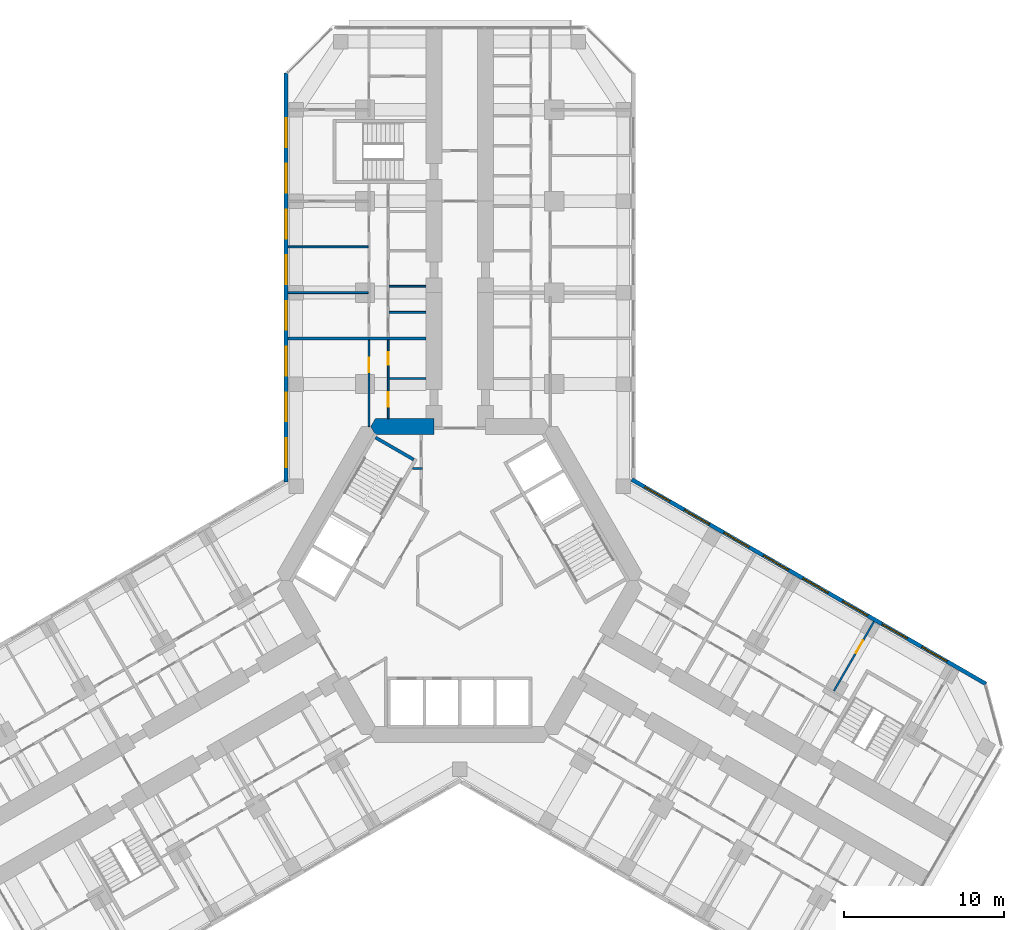
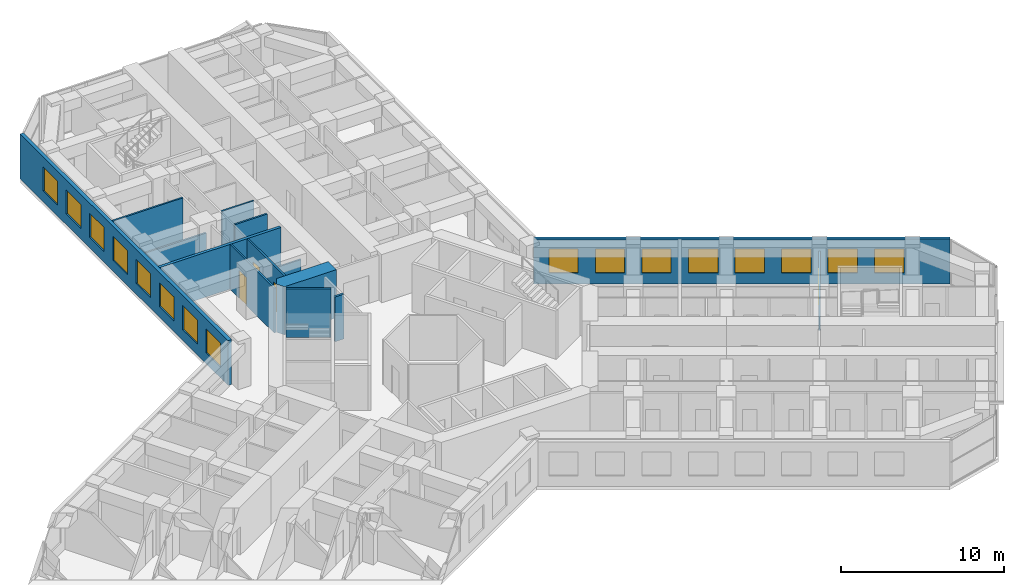
# One storey, part 17 of 22: 16 windows, 14 walls, 4 doors, 20 openings.
"""IFC4 building model written with IfcOpenShell, lengths in metres."""

import ifcopenshell
import ifcopenshell.guid

model = None  # the IFC model being written
_history = None  # IfcOwnerHistory: only IFC2X3 demands one
_inside = {}  # id of a spatial element -> (the spatial element, [elements in it])
_under = {}  # id of a project, library or spatial element -> (it, [spatial elements below it])
_declared = {}  # id of a project -> (the project, [libraries it declares])
_typed = {}  # id of a type object -> (the type object, [elements of that type])
_made_of = {}  # id of a material, layer set ... -> (it, [elements and type objects made of it])


def new_model(schema):
    """Start an empty IFC model of exactly this schema.

    Asked for "IFC4X3", IfcOpenShell would pick the latest addendum, in which some entities
    have other attributes; the version numbers below select the first issue.
    IFC2X3 requires an IfcOwnerHistory on every rooted entity: one is made here for all.
    """
    global model, _history
    if schema == "IFC4X3":
        model = ifcopenshell.file(schema_version=(4, 3, 0, 0))
    else:
        model = ifcopenshell.file(schema=schema)
    _inside.clear()
    _under.clear()
    _declared.clear()
    _typed.clear()
    _made_of.clear()
    _history = None
    if model.schema == "IFC2X3":
        org = make("IfcOrganization", Name="unknown")
        user = make(
            "IfcPersonAndOrganization",
            ThePerson=make("IfcPerson", FamilyName="unknown"),
            TheOrganization=org,
        )
        app = make(
            "IfcApplication",
            ApplicationDeveloper=org,
            Version="unknown",
            ApplicationFullName="unknown",
            ApplicationIdentifier="unknown",
        )
        _history = make(
            "IfcOwnerHistory",
            OwningUser=user,
            OwningApplication=app,
            ChangeAction="ADDED",
            CreationDate=0,
        )
    return model


def make(cls, **values):
    """One entity of the class cls with the attributes given. An attribute that is None is left unset."""
    return model.create_entity(
        cls, **{name: value for name, value in values.items() if value is not None}
    )


def rooted(cls, **values):
    """An entity with a GlobalId (a new one), such as an element, a storey or a relation."""
    return make(cls, GlobalId=ifcopenshell.guid.new(), OwnerHistory=_history, **values)


def si_unit(unit_type, name, prefix=None):
    """IfcSIUnit, for example si_unit("LENGTHUNIT", "METRE", prefix="MILLI")."""
    return make("IfcSIUnit", UnitType=unit_type, Prefix=prefix, Name=name)


def assignment(units):
    """IfcUnitAssignment: the units of a project."""
    return None if units is None else make("IfcUnitAssignment", Units=units)


def point(xyz):
    """IfcCartesianPoint."""
    return None if xyz is None else make("IfcCartesianPoint", Coordinates=xyz)


def direction(xyz):
    """IfcDirection."""
    return None if xyz is None else make("IfcDirection", DirectionRatios=xyz)


def frame(location, z_axis=None, x_axis=None):
    """IfcAxis2Placement3D, a coordinate frame: its origin and axes. An axis left out is left unset."""
    return make(
        "IfcAxis2Placement3D",
        Location=point(location),
        Axis=direction(z_axis),
        RefDirection=direction(x_axis),
    )


def frame_2d(location, x_axis=None):
    """IfcAxis2Placement2D, a coordinate frame in the plane: its origin and x axis."""
    return make(
        "IfcAxis2Placement2D", Location=point(location), RefDirection=direction(x_axis)
    )


def origin():
    """The frame at (0, 0, 0) with its axes left unset."""
    return frame((0.0, 0.0, 0.0))


def place(relative_to, where):
    """IfcLocalPlacement: puts the frame where relative to a parent placement (None: the world)."""
    return make(
        "IfcLocalPlacement", PlacementRelTo=relative_to, RelativePlacement=where
    )


def context(
    kind, dimensions, precision=None, world=None, true_north=None, identifier=None
):
    """IfcGeometricRepresentationContext, for example the 3D "Model" context."""
    return make(
        "IfcGeometricRepresentationContext",
        ContextIdentifier=identifier,
        ContextType=kind,
        CoordinateSpaceDimension=dimensions,
        Precision=precision,
        WorldCoordinateSystem=world,
        TrueNorth=true_north,
    )


def subcontext(parent, identifier, kind, view, scale=None):
    """IfcGeometricRepresentationSubContext, for example "Body" below "Model"."""
    return make(
        "IfcGeometricRepresentationSubContext",
        ContextIdentifier=identifier,
        ContextType=kind,
        ParentContext=parent,
        TargetScale=scale,
        TargetView=view,
    )


def project(units=None, contexts=None):
    """IfcProject with its units and contexts."""
    return rooted(
        "IfcProject",
        Name="project",
        RepresentationContexts=contexts,
        UnitsInContext=assignment(units),
    )


def spatial(cls, under=None, at=None, **own):
    """A site, building, storey or space (cls), placed at a placement, below another one or the project."""
    s = rooted(cls, ObjectPlacement=at, **own)
    if under is not None:
        _under.setdefault(under.id(), (under, []))[1].append(s)
    return s


def polyline(points):
    """IfcPolyline through the points."""
    return make("IfcPolyline", Points=[point(p) for p in points])


def profile(cls, at=None, kind="AREA", **sizes):
    """A parametric profile (cls). Its sizes go by their IFC names, for example OverallWidth=200.0."""
    return make(cls, ProfileType=kind, Position=at, **sizes)


def rectangle(**sizes):
    """IfcRectangleProfileDef."""
    return profile("IfcRectangleProfileDef", **sizes)


def outline(outer, holes=None, kind="AREA"):
    """IfcArbitraryClosedProfileDef: a profile drawn as a closed curve; with holes, ...WithVoids."""
    if holes is None:
        return make("IfcArbitraryClosedProfileDef", ProfileType=kind, OuterCurve=outer)
    return make(
        "IfcArbitraryProfileDefWithVoids",
        ProfileType=kind,
        OuterCurve=outer,
        InnerCurves=holes,
    )


def extrude(swept, where, along, depth):
    """IfcExtrudedAreaSolid: the profile swept, set in the frame where, extruded along a direction by depth."""
    return make(
        "IfcExtrudedAreaSolid",
        SweptArea=swept,
        Position=where,
        ExtrudedDirection=direction(along),
        Depth=depth,
    )


def shape(context_of_items, identifier, shape_type, items):
    """IfcShapeRepresentation: the items that make up one representation, for example the "Body"."""
    return make(
        "IfcShapeRepresentation",
        ContextOfItems=context_of_items,
        RepresentationIdentifier=identifier,
        RepresentationType=shape_type,
        Items=items,
    )


def material(Name=None, Category=None):
    """IfcMaterial."""
    return make("IfcMaterial", Name=Name, Category=Category)


def layer(
    of_material, thickness, ventilated=None, Name=None, Category=None, Priority=None
):
    """IfcMaterialLayer: one layer of a wall or slab, of a material (None: an air gap)."""
    return make(
        "IfcMaterialLayer",
        Material=of_material,
        LayerThickness=thickness,
        IsVentilated=ventilated,
        Name=Name,
        Category=Category,
        Priority=Priority,
    )


def layer_set(layers, Name=None):
    """IfcMaterialLayerSet."""
    return make("IfcMaterialLayerSet", MaterialLayers=layers, LayerSetName=Name)


def made_of(thing, what):
    """Note that an element or type object is made of a material, layer set ...; save() writes the relation."""
    if what is not None:
        _made_of.setdefault(what.id(), (what, []))[1].append(thing)
    return thing


def type_object(cls, material=None, **own):
    """A type object (cls), such as IfcWallType, which elements share."""
    return made_of(rooted(cls, **own), material)


def element(
    cls,
    number,
    at=None,
    inside=None,
    cuts=None,
    type_object=None,
    material=None,
    context=None,
    identifier="Body",
    shape_type=None,
    held_by="IfcProductDefinitionShape",
    body=None,
    shapes=None,
    **own,
):
    """One element of the class cls, such as IfcWall. Its Tag is "e" and its number.

    at: its placement. inside: the storey or other place that contains it. cuts: it is an
    opening in that element (IfcRelVoidsElement). A single representation is given by context,
    identifier, shape_type and body (its items); several are given by shapes. held_by: the class
    of the entity that holds the representations. save() writes the other relations.
    """
    e = rooted(cls, Tag="e%d" % number, ObjectPlacement=at, **own)
    if body is not None:
        shapes = [shape(context, identifier, shape_type, body)]
    if shapes is not None:
        e.Representation = make(held_by, Representations=shapes)
    if inside is not None:
        _inside.setdefault(inside.id(), (inside, []))[1].append(e)
    if cuts is not None:
        rooted(
            "IfcRelVoidsElement", RelatingBuildingElement=cuts, RelatedOpeningElement=e
        )
    if type_object is not None:
        _typed.setdefault(type_object.id(), (type_object, []))[1].append(e)
    return made_of(e, material)


def fill(opening, filler):
    """IfcRelFillsElement: the door or window that sits in an opening."""
    return rooted(
        "IfcRelFillsElement",
        RelatingOpeningElement=opening,
        RelatedBuildingElement=filler,
    )


def aggregate(whole, parts):
    """IfcRelAggregates: a whole, such as a stair, and the parts it consists of."""
    return rooted("IfcRelAggregates", RelatingObject=whole, RelatedObjects=parts)


def save(model, path):
    """Write the relations noted so far, then the file.

    IfcRelAggregates (storeys below a building ...), IfcRelContainedInSpatialStructure (elements
    in a storey), IfcRelDefinesByType, IfcRelAssociatesMaterial and IfcRelDeclares: one each for
    every whole, place, type object, material and project.
    """
    for whole, parts in _under.values():
        aggregate(whole, parts)
    for where, things in _inside.values():
        rooted(
            "IfcRelContainedInSpatialStructure",
            RelatedElements=things,
            RelatingStructure=where,
        )
    for kind, things in _typed.values():
        rooted("IfcRelDefinesByType", RelatedObjects=things, RelatingType=kind)
    for what, things in _made_of.values():
        rooted("IfcRelAssociatesMaterial", RelatedObjects=things, RelatingMaterial=what)
    for by, libraries in _declared.values():
        rooted("IfcRelDeclares", RelatingContext=by, RelatedDefinitions=libraries)
    model.write(path)


model = new_model("IFC4")

# Units and contexts
model_context = context("Model", 3, precision=1e-05, world=origin(), true_north=direction((0.0, 1.0)))
body_context = subcontext(model_context, "Body", "Model", "MODEL_VIEW")
ifc_project = project(units=[si_unit("LENGTHUNIT", "METRE"), si_unit("AREAUNIT", "SQUARE_METRE"), si_unit("VOLUMEUNIT", "CUBIC_METRE"), si_unit("PLANEANGLEUNIT", "RADIAN"), si_unit("MASSUNIT", "GRAM", prefix="KILO")], contexts=[model_context])

# Site, building, storey
site_placement = place(None, origin())
site = spatial("IfcSite", under=ifc_project, at=site_placement, CompositionType="ELEMENT")
building_placement = place(site_placement, origin())
building = spatial("IfcBuilding", under=site, at=building_placement, Name="Kosmar Iwan School Tower", CompositionType="ELEMENT")
storey_placement = place(building_placement, frame((0.0, 0.0, 95.199951171875)))
storey = spatial("IfcBuildingStorey", under=building, at=storey_placement, Name="L23", CompositionType="ELEMENT", Elevation=95.199951171875)

# Walls
ifc_material_1 = material(Name="Gypsum board on steel studs, fire-rated", Category="steel")
ifc_layer_1 = layer(ifc_material_1, 0.14990234375)
ifc_layer_set_1 = layer_set([ifc_layer_1], Name="Core room partition 150")
wall_type_1 = type_object("IfcWallType", Name="Core room partition 150", PredefinedType="PARTITIONING", material=ifc_layer_set_1)
wall_1_placement = place(storey_placement, frame((-2.324951171875, 6.985107421875, 0.0), z_axis=(0.0, 0.0, 1.0), x_axis=(-1.0, 0.0, 0.0)))
element("IfcWall", 1, at=wall_1_placement, inside=storey, type_object=wall_type_1, Name="Core room partition L23-CW2", PredefinedType="PARTITIONING", context=body_context, shape_type="SweptSolid", body=[
    extrude(rectangle(XDim=0.623779296875, YDim=0.14990234375, at=frame_2d((0.31201171875, 0.0))), origin(), (0.0, 0.0, 1.0), 3.35009765625),
])
ifc_material_2 = material(Name="Concrete C50/60", Category="concrete")
ifc_layer_2 = layer(ifc_material_2, 1.0)
ifc_layer_set_2 = layer_set([ifc_layer_2], Name="Core wall 1000")
wall_type_2 = type_object("IfcWallType", Name="Core wall 1000", PredefinedType="SHEAR", material=ifc_layer_set_2)
wall_2_placement = place(storey_placement, origin())
element("IfcWall", 2, at=wall_2_placement, inside=storey, type_object=wall_type_2, Name="Core wall F090b", PredefinedType="SHEAR", context=body_context, shape_type="SweptSolid", body=[
    extrude(outline(polyline([(-5.25390625, 9.10009765625), (-1.60009765625, 9.10009765625), (-1.60009765625, 10.10009765625), (-5.25390625, 10.10009765625), (-5.54248046875, 9.60009765625), (-5.25390625, 9.10009765625)])), origin(), (0.0, 0.0, 1.0), 3.60009765625),
])

# Wall, openings, doors
ifc_material_3 = material(Name="Gypsum board on steel studs", Category="steel")
ifc_layer_3 = layer(ifc_material_3, 0.1201171875)
ifc_layer_set_3 = layer_set([ifc_layer_3], Name="Dwelling partition 120")
wall_type_3 = type_object("IfcWallType", Name="Dwelling partition 120", PredefinedType="PARTITIONING", material=ifc_layer_set_3)
wall_3_placement = place(storey_placement, frame((-4.449951171875, 10.10009765625, 0.0), z_axis=(0.0, 0.0, 1.0), x_axis=(0.0, 1.0, 0.0)))
wall_3 = element("IfcWall", 3, at=wall_3_placement, inside=storey, type_object=wall_type_3, Name="Partition L23-AL1-W1", PredefinedType="PARTITIONING", context=body_context, shape_type="SweptSolid", body=[
    extrude(rectangle(XDim=4.89990234375, YDim=0.1201171875, at=frame_2d((2.449951171875, 0.0))), origin(), (0.0, 0.0, 1.0), 3.35009765625),
])
opening_1_placement = place(wall_3_placement, frame((0.75, 0.0, 0.0)))
opening_1 = element("IfcOpeningElement", 4, at=opening_1_placement, cuts=wall_3, Name="Opening D2", PredefinedType="OPENING", context=body_context, shape_type="SweptSolid", body=[
    extrude(rectangle(XDim=0.89990234375, YDim=2.10009765625, at=frame_2d((0.449951171875, 1.050048828125))), frame((0.0, 0.072021484375, 0.0), z_axis=(0.0, -1.0, 0.0), x_axis=(1.0, 0.0, 0.0)), (0.0, 0.0, 1.0), 0.14404296875),
])
opening_2_placement = place(wall_3_placement, frame((3.35009765625, 0.0, 0.0)))
opening_2 = element("IfcOpeningElement", 5, at=opening_2_placement, cuts=wall_3, Name="Opening D3", PredefinedType="OPENING", context=body_context, shape_type="SweptSolid", body=[
    extrude(rectangle(XDim=0.800048828125, YDim=2.10009765625, at=frame_2d((0.39990234375, 1.050048828125))), frame((0.0, 0.072021484375, 0.0), z_axis=(0.0, -1.0, 0.0), x_axis=(1.0, 0.0, 0.0)), (0.0, 0.0, 1.0), 0.14404296875),
])
ifc_material_4 = material(Name="Timber door in timber frame", Category="wood")
door_type_1 = type_object("IfcDoorType", Name="Internal door 900x2100", OperationType="SINGLE_SWING_LEFT", PredefinedType="DOOR", material=ifc_material_4)
door_1_placement = place(opening_1_placement, origin())
door_1 = element("IfcDoor", 6, at=door_1_placement, inside=storey, type_object=door_type_1, Name="Entrance hall door L23-AL1-S1", OperationType="SINGLE_SWING_LEFT", OverallHeight=2.10009765625, OverallWidth=0.89990234375, PredefinedType="DOOR", context=body_context, shape_type="SweptSolid", body=[
    extrude(rectangle(XDim=0.89990234375, YDim=2.10009765625, at=frame_2d((0.449951171875, 1.050048828125))), frame((0.0, 0.02490234375, 0.0), z_axis=(0.0, -1.0, 0.0), x_axis=(1.0, 0.0, 0.0)), (0.0, 0.0, 1.0), 0.050048828125),
])
fill(opening_1, door_1)
ifc_material_5 = material(Name="Timber door in timber frame", Category="wood")
door_type_2 = type_object("IfcDoorType", Name="Sanitary room door 800x2100", OperationType="SINGLE_SWING_LEFT", PredefinedType="DOOR", material=ifc_material_5)
door_2_placement = place(opening_2_placement, origin())
door_2 = element("IfcDoor", 7, at=door_2_placement, inside=storey, type_object=door_type_2, Name="Bathroom door L23-AL1-S2", OperationType="SINGLE_SWING_RIGHT", OverallHeight=2.10009765625, OverallWidth=0.800048828125, PredefinedType="DOOR", context=body_context, shape_type="SweptSolid", body=[
    extrude(rectangle(XDim=0.800048828125, YDim=2.10009765625, at=frame_2d((0.39990234375, 1.050048828125))), frame((0.0, 0.02490234375, 0.0), z_axis=(0.0, -1.0, 0.0), x_axis=(1.0, 0.0, 0.0)), (0.0, 0.0, 1.0), 0.050048828125),
])
fill(opening_2, door_2)

# Wall, opening, door
wall_4_placement = place(storey_placement, frame((-5.64990234375, 9.60009765625, 0.0), z_axis=(0.0, 0.0, 1.0), x_axis=(0.0, 1.0, 0.0)))
wall_4 = element("IfcWall", 8, at=wall_4_placement, inside=storey, type_object=wall_type_3, Name="Partition L23-AL1-W2", PredefinedType="PARTITIONING", context=body_context, shape_type="SweptSolid", body=[
    extrude(rectangle(XDim=5.39990234375, YDim=0.1201171875, at=frame_2d((2.699951171875, 0.0))), origin(), (0.0, 0.0, 1.0), 3.35009765625),
])
opening_3_placement = place(wall_4_placement, frame((3.39990234375, 0.0, 0.0)))
opening_3 = element("IfcOpeningElement", 9, at=opening_3_placement, cuts=wall_4, Name="Opening D2", PredefinedType="OPENING", context=body_context, shape_type="SweptSolid", body=[
    extrude(rectangle(XDim=0.89990234375, YDim=2.10009765625, at=frame_2d((0.449951171875, 1.050048828125))), frame((0.0, 0.072021484375, 0.0), z_axis=(0.0, -1.0, 0.0), x_axis=(1.0, 0.0, 0.0)), (0.0, 0.0, 1.0), 0.14404296875),
])
door_3_placement = place(opening_3_placement, origin())
door_3 = element("IfcDoor", 10, at=door_3_placement, inside=storey, type_object=door_type_1, Name="Studio living room and kitchen door L23-AL1-F1", OperationType="SINGLE_SWING_RIGHT", OverallHeight=2.10009765625, OverallWidth=0.89990234375, PredefinedType="DOOR", context=body_context, shape_type="SweptSolid", body=[
    extrude(rectangle(XDim=0.89990234375, YDim=2.10009765625, at=frame_2d((0.449951171875, 1.050048828125))), frame((0.0, 0.02490234375, 0.0), z_axis=(0.0, -1.0, 0.0), x_axis=(1.0, 0.0, 0.0)), (0.0, 0.0, 1.0), 0.050048828125),
])
fill(opening_3, door_3)

# Walls
wall_5_placement = place(storey_placement, frame((-2.10009765625, 12.60009765625, 0.0), z_axis=(0.0, 0.0, 1.0), x_axis=(-1.0, 0.0, 0.0)))
element("IfcWall", 11, at=wall_5_placement, inside=storey, type_object=wall_type_3, Name="Partition L23-AL1-Y1", PredefinedType="PARTITIONING", context=body_context, shape_type="SweptSolid", body=[
    extrude(rectangle(XDim=2.289794921875, YDim=0.1201171875, at=frame_2d((1.14501953125, 0.0))), origin(), (0.0, 0.0, 1.0), 2.449951171875),
])
wall_6_placement = place(storey_placement, frame((-5.7099609375, 17.949951171875, 0.0), z_axis=(0.0, 0.0, 1.0), x_axis=(-1.0, 0.0, 0.0)))
element("IfcWall", 12, at=wall_6_placement, inside=storey, type_object=wall_type_3, Name="Partition L23-AL2-X1", PredefinedType="PARTITIONING", context=body_context, shape_type="SweptSolid", body=[
    extrude(rectangle(XDim=4.989990234375, YDim=0.1201171875, at=frame_2d((2.4951171875, 0.0))), origin(), (0.0, 0.0, 1.0), 2.449951171875),
])
wall_7_placement = place(storey_placement, frame((-5.7099609375, 20.800048828125, 0.0), z_axis=(0.0, 0.0, 1.0), x_axis=(-1.0, 0.0, 0.0)))
element("IfcWall", 13, at=wall_7_placement, inside=storey, type_object=wall_type_3, Name="Partition L23-AL2-X2", PredefinedType="PARTITIONING", context=body_context, shape_type="SweptSolid", body=[
    extrude(rectangle(XDim=4.989990234375, YDim=0.1201171875, at=frame_2d((2.4951171875, 0.0))), origin(), (0.0, 0.0, 1.0), 3.35009765625),
])
for number, where, z_axis, x_axis, name in (
    (14, (-2.10009765625, 16.72509765625, 0.0), (0.0, 0.0, 1.0), (-1.0, 0.0, 0.0), "Partition L23-AL2-Y1"),
    (15, (-2.10009765625, 18.35009765625, 0.0), (0.0, 0.0, 1.0), (-1.0, 0.0, 0.0), "Partition L23-AL2-Y2"),
):
    element("IfcWall", number, at=place(storey_placement, frame(where, z_axis=z_axis, x_axis=x_axis)), inside=storey, type_object=wall_type_3, Name=name, PredefinedType="PARTITIONING", context=body_context, shape_type="SweptSolid", body=[
        extrude(rectangle(XDim=2.289794921875, YDim=0.1201171875, at=frame_2d((1.14501953125, 0.0))), origin(), (0.0, 0.0, 1.0), 3.35009765625),
    ])

# Wall, opening, door
wall_8_placement = place(storey_placement, frame((23.33642578125, -6.8798828125, 0.0), z_axis=(0.0, 0.0, 1.0), x_axis=(0.500033033937, 0.866006330792, 0.0)))
wall_8 = element("IfcWall", 16, at=wall_8_placement, inside=storey, type_object=wall_type_3, Name="Partition L23-CL2-TB", PredefinedType="PARTITIONING", context=body_context, shape_type="SweptSolid", body=[
    extrude(rectangle(XDim=4.989990234375, YDim=0.1201171875, at=frame_2d((2.4951171875, 0.0))), origin(), (0.0, 0.0, 1.0), 2.449951171875),
])
opening_4_placement = place(wall_8_placement, frame((2.739990234375, 0.0, 0.0)))
opening_4 = element("IfcOpeningElement", 17, at=opening_4_placement, cuts=wall_8, Name="Opening D2", PredefinedType="OPENING", context=body_context, shape_type="SweptSolid", body=[
    extrude(rectangle(XDim=0.89990234375, YDim=2.10009765625, at=frame_2d((0.449951171875, 1.050048828125))), frame((0.0, 0.072021484375, 0.0), z_axis=(0.0, -1.0, 0.0), x_axis=(1.0, 0.0, 0.0)), (0.0, 0.0, 1.0), 0.14404296875),
])
door_4_placement = place(opening_4_placement, origin())
door_4 = element("IfcDoor", 18, at=door_4_placement, inside=storey, type_object=door_type_1, Name="Study door L23-CL2-F2", OperationType="SINGLE_SWING_RIGHT", OverallHeight=2.10009765625, OverallWidth=0.89990234375, PredefinedType="DOOR", context=body_context, shape_type="SweptSolid", body=[
    extrude(rectangle(XDim=0.89990234375, YDim=2.10009765625, at=frame_2d((0.449951171875, 1.050048828125))), frame((0.0, 0.02490234375, 0.0), z_axis=(0.0, -1.0, 0.0), x_axis=(1.0, 0.0, 0.0)), (0.0, 0.0, 1.0), 0.050048828125),
])
fill(opening_4, door_4)

# Wall, openings, windows
ifc_material_6 = material(Name="Black aluminium rainscreen on insulated framing", Category="aluminium")
ifc_layer_4 = layer(ifc_material_6, 0.25)
ifc_layer_set_4 = layer_set([ifc_layer_4], Name="External wall rainscreen 250")
wall_type_4 = type_object("IfcWallType", Name="External wall rainscreen 250", PredefinedType="SOLIDWALL", material=ifc_layer_set_4)
wall_9_placement = place(storey_placement, frame((10.73681640625, 6.30078125, 0.0), z_axis=(0.0, 0.0, 1.0), x_axis=(0.866026390279, -0.499998291337, 0.0)))
wall_9 = element("IfcWall", 19, at=wall_9_placement, inside=storey, type_object=wall_type_4, Name="External wall CL L23", PredefinedType="SOLIDWALL", context=body_context, shape_type="SweptSolid", body=[
    extrude(rectangle(XDim=25.4873046875, YDim=0.25, at=frame_2d((12.74365234375, 0.0))), origin(), (0.0, 0.0, 1.0), 3.35009765625),
])
opening_5_placement = place(wall_9_placement, frame((0.927001953125, 0.0, 0.800048828125)))
opening_5 = element("IfcOpeningElement", 20, at=opening_5_placement, cuts=wall_9, Name="Opening W1", PredefinedType="OPENING", context=body_context, shape_type="SweptSolid", body=[
    extrude(rectangle(XDim=1.800048828125, YDim=1.800048828125, at=frame_2d((0.89990234375, 0.89990234375))), frame((0.0, 0.136962890625, 0.0), z_axis=(0.0, -1.0, 0.0), x_axis=(1.0, 0.0, 0.0)), (0.0, 0.0, 1.0), 0.27392578125),
])
opening_6_placement = place(wall_9_placement, frame((3.777099609375, 0.0, 0.800048828125)))
opening_6 = element("IfcOpeningElement", 21, at=opening_6_placement, cuts=wall_9, Name="Opening W1", PredefinedType="OPENING", context=body_context, shape_type="SweptSolid", body=[
    extrude(rectangle(XDim=1.800048828125, YDim=1.800048828125, at=frame_2d((0.89990234375, 0.89990234375))), frame((0.0, 0.136962890625, 0.0), z_axis=(0.0, -1.0, 0.0), x_axis=(1.0, 0.0, 0.0)), (0.0, 0.0, 1.0), 0.27392578125),
])
opening_7_placement = place(wall_9_placement, frame((6.626953125, 0.0, 0.800048828125)))
opening_7 = element("IfcOpeningElement", 22, at=opening_7_placement, cuts=wall_9, Name="Opening W1", PredefinedType="OPENING", context=body_context, shape_type="SweptSolid", body=[
    extrude(rectangle(XDim=1.800048828125, YDim=1.800048828125, at=frame_2d((0.89990234375, 0.89990234375))), frame((0.0, 0.136962890625, 0.0), z_axis=(0.0, -1.0, 0.0), x_axis=(1.0, 0.0, 0.0)), (0.0, 0.0, 1.0), 0.27392578125),
])
opening_8_placement = place(wall_9_placement, frame((9.47705078125, 0.0, 0.800048828125)))
opening_8 = element("IfcOpeningElement", 23, at=opening_8_placement, cuts=wall_9, Name="Opening W1", PredefinedType="OPENING", context=body_context, shape_type="SweptSolid", body=[
    extrude(rectangle(XDim=1.800048828125, YDim=1.800048828125, at=frame_2d((0.89990234375, 0.89990234375))), frame((0.0, 0.136962890625, 0.0), z_axis=(0.0, -1.0, 0.0), x_axis=(1.0, 0.0, 0.0)), (0.0, 0.0, 1.0), 0.27392578125),
])
opening_9_placement = place(wall_9_placement, frame((12.326904296875, 0.0, 0.800048828125)))
opening_9 = element("IfcOpeningElement", 24, at=opening_9_placement, cuts=wall_9, Name="Opening W1", PredefinedType="OPENING", context=body_context, shape_type="SweptSolid", body=[
    extrude(rectangle(XDim=1.800048828125, YDim=1.800048828125, at=frame_2d((0.89990234375, 0.89990234375))), frame((0.0, 0.136962890625, 0.0), z_axis=(0.0, -1.0, 0.0), x_axis=(1.0, 0.0, 0.0)), (0.0, 0.0, 1.0), 0.27392578125),
])
opening_10_placement = place(wall_9_placement, frame((15.177001953125, 0.0, 0.800048828125)))
opening_10 = element("IfcOpeningElement", 25, at=opening_10_placement, cuts=wall_9, Name="Opening W1", PredefinedType="OPENING", context=body_context, shape_type="SweptSolid", body=[
    extrude(rectangle(XDim=1.800048828125, YDim=1.800048828125, at=frame_2d((0.89990234375, 0.89990234375))), frame((0.0, 0.136962890625, 0.0), z_axis=(0.0, -1.0, 0.0), x_axis=(1.0, 0.0, 0.0)), (0.0, 0.0, 1.0), 0.27392578125),
])
opening_11_placement = place(wall_9_placement, frame((18.027099609375, 0.0, 0.800048828125)))
opening_11 = element("IfcOpeningElement", 26, at=opening_11_placement, cuts=wall_9, Name="Opening W1", PredefinedType="OPENING", context=body_context, shape_type="SweptSolid", body=[
    extrude(rectangle(XDim=1.800048828125, YDim=1.800048828125, at=frame_2d((0.89990234375, 0.89990234375))), frame((0.0, 0.136962890625, 0.0), z_axis=(0.0, -1.0, 0.0), x_axis=(1.0, 0.0, 0.0)), (0.0, 0.0, 1.0), 0.27392578125),
])
opening_12_placement = place(wall_9_placement, frame((20.876953125, 0.0, 0.800048828125)))
opening_12 = element("IfcOpeningElement", 27, at=opening_12_placement, cuts=wall_9, Name="Opening W1", PredefinedType="OPENING", context=body_context, shape_type="SweptSolid", body=[
    extrude(rectangle(XDim=1.800048828125, YDim=1.800048828125, at=frame_2d((0.89990234375, 0.89990234375))), frame((0.0, 0.136962890625, 0.0), z_axis=(0.0, -1.0, 0.0), x_axis=(1.0, 0.0, 0.0)), (0.0, 0.0, 1.0), 0.27392578125),
])
ifc_material_7 = material(Name="Black aluminium frame with dark triple glazing", Category="aluminium")
window_type = type_object("IfcWindowType", Name="Window 1800x1800", PartitioningType="SINGLE_PANEL", PredefinedType="WINDOW", material=ifc_material_7)
window_1_placement = place(opening_5_placement, origin())
window_1 = element("IfcWindow", 28, at=window_1_placement, inside=storey, type_object=window_type, Name="Window CL L23 -1", OverallHeight=1.800048828125, OverallWidth=1.800048828125, PartitioningType="SINGLE_PANEL", PredefinedType="WINDOW", context=body_context, shape_type="SweptSolid", body=[
    extrude(rectangle(XDim=1.800048828125, YDim=1.800048828125, at=frame_2d((0.89990234375, 0.89990234375))), frame((0.0, 0.030029296875, 0.0), z_axis=(0.0, -1.0, 0.0), x_axis=(1.0, 0.0, 0.0)), (0.0, 0.0, 1.0), 0.06005859375),
])
fill(opening_5, window_1)
window_2_placement = place(opening_6_placement, origin())
window_2 = element("IfcWindow", 29, at=window_2_placement, inside=storey, type_object=window_type, Name="Window CL L23 0", OverallHeight=1.800048828125, OverallWidth=1.800048828125, PartitioningType="SINGLE_PANEL", PredefinedType="WINDOW", context=body_context, shape_type="SweptSolid", body=[
    extrude(rectangle(XDim=1.800048828125, YDim=1.800048828125, at=frame_2d((0.89990234375, 0.89990234375))), frame((0.0, 0.030029296875, 0.0), z_axis=(0.0, -1.0, 0.0), x_axis=(1.0, 0.0, 0.0)), (0.0, 0.0, 1.0), 0.06005859375),
])
fill(opening_6, window_2)
window_3_placement = place(opening_7_placement, origin())
window_3 = element("IfcWindow", 30, at=window_3_placement, inside=storey, type_object=window_type, Name="Window CL L23 1", OverallHeight=1.800048828125, OverallWidth=1.800048828125, PartitioningType="SINGLE_PANEL", PredefinedType="WINDOW", context=body_context, shape_type="SweptSolid", body=[
    extrude(rectangle(XDim=1.800048828125, YDim=1.800048828125, at=frame_2d((0.89990234375, 0.89990234375))), frame((0.0, 0.030029296875, 0.0), z_axis=(0.0, -1.0, 0.0), x_axis=(1.0, 0.0, 0.0)), (0.0, 0.0, 1.0), 0.06005859375),
])
fill(opening_7, window_3)
window_4_placement = place(opening_8_placement, origin())
window_4 = element("IfcWindow", 31, at=window_4_placement, inside=storey, type_object=window_type, Name="Window CL L23 2", OverallHeight=1.800048828125, OverallWidth=1.800048828125, PartitioningType="SINGLE_PANEL", PredefinedType="WINDOW", context=body_context, shape_type="SweptSolid", body=[
    extrude(rectangle(XDim=1.800048828125, YDim=1.800048828125, at=frame_2d((0.89990234375, 0.89990234375))), frame((0.0, 0.030029296875, 0.0), z_axis=(0.0, -1.0, 0.0), x_axis=(1.0, 0.0, 0.0)), (0.0, 0.0, 1.0), 0.06005859375),
])
fill(opening_8, window_4)
window_5_placement = place(opening_9_placement, origin())
window_5 = element("IfcWindow", 32, at=window_5_placement, inside=storey, type_object=window_type, Name="Window CL L23 3", OverallHeight=1.800048828125, OverallWidth=1.800048828125, PartitioningType="SINGLE_PANEL", PredefinedType="WINDOW", context=body_context, shape_type="SweptSolid", body=[
    extrude(rectangle(XDim=1.800048828125, YDim=1.800048828125, at=frame_2d((0.89990234375, 0.89990234375))), frame((0.0, 0.030029296875, 0.0), z_axis=(0.0, -1.0, 0.0), x_axis=(1.0, 0.0, 0.0)), (0.0, 0.0, 1.0), 0.06005859375),
])
fill(opening_9, window_5)
window_6_placement = place(opening_10_placement, origin())
window_6 = element("IfcWindow", 33, at=window_6_placement, inside=storey, type_object=window_type, Name="Window CL L23 4", OverallHeight=1.800048828125, OverallWidth=1.800048828125, PartitioningType="SINGLE_PANEL", PredefinedType="WINDOW", context=body_context, shape_type="SweptSolid", body=[
    extrude(rectangle(XDim=1.800048828125, YDim=1.800048828125, at=frame_2d((0.89990234375, 0.89990234375))), frame((0.0, 0.030029296875, 0.0), z_axis=(0.0, -1.0, 0.0), x_axis=(1.0, 0.0, 0.0)), (0.0, 0.0, 1.0), 0.06005859375),
])
fill(opening_10, window_6)
window_7_placement = place(opening_11_placement, origin())
window_7 = element("IfcWindow", 34, at=window_7_placement, inside=storey, type_object=window_type, Name="Window CL L23 5", OverallHeight=1.800048828125, OverallWidth=1.800048828125, PartitioningType="SINGLE_PANEL", PredefinedType="WINDOW", context=body_context, shape_type="SweptSolid", body=[
    extrude(rectangle(XDim=1.800048828125, YDim=1.800048828125, at=frame_2d((0.89990234375, 0.89990234375))), frame((0.0, 0.030029296875, 0.0), z_axis=(0.0, -1.0, 0.0), x_axis=(1.0, 0.0, 0.0)), (0.0, 0.0, 1.0), 0.06005859375),
])
fill(opening_11, window_7)
window_8_placement = place(opening_12_placement, origin())
window_8 = element("IfcWindow", 35, at=window_8_placement, inside=storey, type_object=window_type, Name="Window CL L23 6", OverallHeight=1.800048828125, OverallWidth=1.800048828125, PartitioningType="SINGLE_PANEL", PredefinedType="WINDOW", context=body_context, shape_type="SweptSolid", body=[
    extrude(rectangle(XDim=1.800048828125, YDim=1.800048828125, at=frame_2d((0.89990234375, 0.89990234375))), frame((0.0, 0.030029296875, 0.0), z_axis=(0.0, -1.0, 0.0), x_axis=(1.0, 0.0, 0.0)), (0.0, 0.0, 1.0), 0.06005859375),
])
fill(opening_12, window_8)

wall_10_placement = place(storey_placement, frame((-10.824951171875, 6.14794921875, 0.0), z_axis=(0.0, 0.0, 1.0), x_axis=(0.0, 1.0, 0.0)))
wall_10 = element("IfcWall", 36, at=wall_10_placement, inside=storey, type_object=wall_type_4, Name="External wall AL L23", PredefinedType="SOLIDWALL", context=body_context, shape_type="SweptSolid", body=[
    extrude(rectangle(XDim=25.4873046875, YDim=0.25, at=frame_2d((12.74365234375, 0.0))), origin(), (0.0, 0.0, 1.0), 3.35009765625),
])
opening_13_placement = place(wall_10_placement, frame((0.927001953125, 0.0, 0.800048828125)))
opening_13 = element("IfcOpeningElement", 37, at=opening_13_placement, cuts=wall_10, Name="Opening W1", PredefinedType="OPENING", context=body_context, shape_type="SweptSolid", body=[
    extrude(rectangle(XDim=1.800048828125, YDim=1.800048828125, at=frame_2d((0.89990234375, 0.89990234375))), frame((0.0, 0.136962890625, 0.0), z_axis=(0.0, -1.0, 0.0), x_axis=(1.0, 0.0, 0.0)), (0.0, 0.0, 1.0), 0.27392578125),
])
opening_14_placement = place(wall_10_placement, frame((3.777099609375, 0.0, 0.800048828125)))
opening_14 = element("IfcOpeningElement", 38, at=opening_14_placement, cuts=wall_10, Name="Opening W1", PredefinedType="OPENING", context=body_context, shape_type="SweptSolid", body=[
    extrude(rectangle(XDim=1.800048828125, YDim=1.800048828125, at=frame_2d((0.89990234375, 0.89990234375))), frame((0.0, 0.136962890625, 0.0), z_axis=(0.0, -1.0, 0.0), x_axis=(1.0, 0.0, 0.0)), (0.0, 0.0, 1.0), 0.27392578125),
])
opening_15_placement = place(wall_10_placement, frame((6.626953125, 0.0, 0.800048828125)))
opening_15 = element("IfcOpeningElement", 39, at=opening_15_placement, cuts=wall_10, Name="Opening W1", PredefinedType="OPENING", context=body_context, shape_type="SweptSolid", body=[
    extrude(rectangle(XDim=1.800048828125, YDim=1.800048828125, at=frame_2d((0.89990234375, 0.89990234375))), frame((0.0, 0.136962890625, 0.0), z_axis=(0.0, -1.0, 0.0), x_axis=(1.0, 0.0, 0.0)), (0.0, 0.0, 1.0), 0.27392578125),
])
opening_16_placement = place(wall_10_placement, frame((9.47705078125, 0.0, 0.800048828125)))
opening_16 = element("IfcOpeningElement", 40, at=opening_16_placement, cuts=wall_10, Name="Opening W1", PredefinedType="OPENING", context=body_context, shape_type="SweptSolid", body=[
    extrude(rectangle(XDim=1.800048828125, YDim=1.800048828125, at=frame_2d((0.89990234375, 0.89990234375))), frame((0.0, 0.136962890625, 0.0), z_axis=(0.0, -1.0, 0.0), x_axis=(1.0, 0.0, 0.0)), (0.0, 0.0, 1.0), 0.27392578125),
])
opening_17_placement = place(wall_10_placement, frame((12.326904296875, 0.0, 0.800048828125)))
opening_17 = element("IfcOpeningElement", 41, at=opening_17_placement, cuts=wall_10, Name="Opening W1", PredefinedType="OPENING", context=body_context, shape_type="SweptSolid", body=[
    extrude(rectangle(XDim=1.800048828125, YDim=1.800048828125, at=frame_2d((0.89990234375, 0.89990234375))), frame((0.0, 0.136962890625, 0.0), z_axis=(0.0, -1.0, 0.0), x_axis=(1.0, 0.0, 0.0)), (0.0, 0.0, 1.0), 0.27392578125),
])
opening_18_placement = place(wall_10_placement, frame((15.177001953125, 0.0, 0.800048828125)))
opening_18 = element("IfcOpeningElement", 42, at=opening_18_placement, cuts=wall_10, Name="Opening W1", PredefinedType="OPENING", context=body_context, shape_type="SweptSolid", body=[
    extrude(rectangle(XDim=1.800048828125, YDim=1.800048828125, at=frame_2d((0.89990234375, 0.89990234375))), frame((0.0, 0.136962890625, 0.0), z_axis=(0.0, -1.0, 0.0), x_axis=(1.0, 0.0, 0.0)), (0.0, 0.0, 1.0), 0.27392578125),
])
opening_19_placement = place(wall_10_placement, frame((18.027099609375, 0.0, 0.800048828125)))
opening_19 = element("IfcOpeningElement", 43, at=opening_19_placement, cuts=wall_10, Name="Opening W1", PredefinedType="OPENING", context=body_context, shape_type="SweptSolid", body=[
    extrude(rectangle(XDim=1.800048828125, YDim=1.800048828125, at=frame_2d((0.89990234375, 0.89990234375))), frame((0.0, 0.136962890625, 0.0), z_axis=(0.0, -1.0, 0.0), x_axis=(1.0, 0.0, 0.0)), (0.0, 0.0, 1.0), 0.27392578125),
])
opening_20_placement = place(wall_10_placement, frame((20.876953125, 0.0, 0.800048828125)))
opening_20 = element("IfcOpeningElement", 44, at=opening_20_placement, cuts=wall_10, Name="Opening W1", PredefinedType="OPENING", context=body_context, shape_type="SweptSolid", body=[
    extrude(rectangle(XDim=1.800048828125, YDim=1.800048828125, at=frame_2d((0.89990234375, 0.89990234375))), frame((0.0, 0.136962890625, 0.0), z_axis=(0.0, -1.0, 0.0), x_axis=(1.0, 0.0, 0.0)), (0.0, 0.0, 1.0), 0.27392578125),
])
window_9_placement = place(opening_13_placement, origin())
window_9 = element("IfcWindow", 45, at=window_9_placement, inside=storey, type_object=window_type, Name="Window AL L23 -1", OverallHeight=1.800048828125, OverallWidth=1.800048828125, PartitioningType="SINGLE_PANEL", PredefinedType="WINDOW", context=body_context, shape_type="SweptSolid", body=[
    extrude(rectangle(XDim=1.800048828125, YDim=1.800048828125, at=frame_2d((0.89990234375, 0.89990234375))), frame((0.0, 0.030029296875, 0.0), z_axis=(0.0, -1.0, 0.0), x_axis=(1.0, 0.0, 0.0)), (0.0, 0.0, 1.0), 0.06005859375),
])
fill(opening_13, window_9)
window_10_placement = place(opening_14_placement, origin())
window_10 = element("IfcWindow", 46, at=window_10_placement, inside=storey, type_object=window_type, Name="Window AL L23 0", OverallHeight=1.800048828125, OverallWidth=1.800048828125, PartitioningType="SINGLE_PANEL", PredefinedType="WINDOW", context=body_context, shape_type="SweptSolid", body=[
    extrude(rectangle(XDim=1.800048828125, YDim=1.800048828125, at=frame_2d((0.89990234375, 0.89990234375))), frame((0.0, 0.030029296875, 0.0), z_axis=(0.0, -1.0, 0.0), x_axis=(1.0, 0.0, 0.0)), (0.0, 0.0, 1.0), 0.06005859375),
])
fill(opening_14, window_10)
window_11_placement = place(opening_15_placement, origin())
window_11 = element("IfcWindow", 47, at=window_11_placement, inside=storey, type_object=window_type, Name="Window AL L23 1", OverallHeight=1.800048828125, OverallWidth=1.800048828125, PartitioningType="SINGLE_PANEL", PredefinedType="WINDOW", context=body_context, shape_type="SweptSolid", body=[
    extrude(rectangle(XDim=1.800048828125, YDim=1.800048828125, at=frame_2d((0.89990234375, 0.89990234375))), frame((0.0, 0.030029296875, 0.0), z_axis=(0.0, -1.0, 0.0), x_axis=(1.0, 0.0, 0.0)), (0.0, 0.0, 1.0), 0.06005859375),
])
fill(opening_15, window_11)
window_12_placement = place(opening_16_placement, origin())
window_12 = element("IfcWindow", 48, at=window_12_placement, inside=storey, type_object=window_type, Name="Window AL L23 2", OverallHeight=1.800048828125, OverallWidth=1.800048828125, PartitioningType="SINGLE_PANEL", PredefinedType="WINDOW", context=body_context, shape_type="SweptSolid", body=[
    extrude(rectangle(XDim=1.800048828125, YDim=1.800048828125, at=frame_2d((0.89990234375, 0.89990234375))), frame((0.0, 0.030029296875, 0.0), z_axis=(0.0, -1.0, 0.0), x_axis=(1.0, 0.0, 0.0)), (0.0, 0.0, 1.0), 0.06005859375),
])
fill(opening_16, window_12)
window_13_placement = place(opening_17_placement, origin())
window_13 = element("IfcWindow", 49, at=window_13_placement, inside=storey, type_object=window_type, Name="Window AL L23 3", OverallHeight=1.800048828125, OverallWidth=1.800048828125, PartitioningType="SINGLE_PANEL", PredefinedType="WINDOW", context=body_context, shape_type="SweptSolid", body=[
    extrude(rectangle(XDim=1.800048828125, YDim=1.800048828125, at=frame_2d((0.89990234375, 0.89990234375))), frame((0.0, 0.030029296875, 0.0), z_axis=(0.0, -1.0, 0.0), x_axis=(1.0, 0.0, 0.0)), (0.0, 0.0, 1.0), 0.06005859375),
])
fill(opening_17, window_13)
window_14_placement = place(opening_18_placement, origin())
window_14 = element("IfcWindow", 50, at=window_14_placement, inside=storey, type_object=window_type, Name="Window AL L23 4", OverallHeight=1.800048828125, OverallWidth=1.800048828125, PartitioningType="SINGLE_PANEL", PredefinedType="WINDOW", context=body_context, shape_type="SweptSolid", body=[
    extrude(rectangle(XDim=1.800048828125, YDim=1.800048828125, at=frame_2d((0.89990234375, 0.89990234375))), frame((0.0, 0.030029296875, 0.0), z_axis=(0.0, -1.0, 0.0), x_axis=(1.0, 0.0, 0.0)), (0.0, 0.0, 1.0), 0.06005859375),
])
fill(opening_18, window_14)
window_15_placement = place(opening_19_placement, origin())
window_15 = element("IfcWindow", 51, at=window_15_placement, inside=storey, type_object=window_type, Name="Window AL L23 5", OverallHeight=1.800048828125, OverallWidth=1.800048828125, PartitioningType="SINGLE_PANEL", PredefinedType="WINDOW", context=body_context, shape_type="SweptSolid", body=[
    extrude(rectangle(XDim=1.800048828125, YDim=1.800048828125, at=frame_2d((0.89990234375, 0.89990234375))), frame((0.0, 0.030029296875, 0.0), z_axis=(0.0, -1.0, 0.0), x_axis=(1.0, 0.0, 0.0)), (0.0, 0.0, 1.0), 0.06005859375),
])
fill(opening_19, window_15)
window_16_placement = place(opening_20_placement, origin())
window_16 = element("IfcWindow", 52, at=window_16_placement, inside=storey, type_object=window_type, Name="Window AL L23 6", OverallHeight=1.800048828125, OverallWidth=1.800048828125, PartitioningType="SINGLE_PANEL", PredefinedType="WINDOW", context=body_context, shape_type="SweptSolid", body=[
    extrude(rectangle(XDim=1.800048828125, YDim=1.800048828125, at=frame_2d((0.89990234375, 0.89990234375))), frame((0.0, 0.030029296875, 0.0), z_axis=(0.0, -1.0, 0.0), x_axis=(1.0, 0.0, 0.0)), (0.0, 0.0, 1.0), 0.06005859375),
])
fill(opening_20, window_16)

# Walls
ifc_material_8 = material(Name="Concrete block masonry", Category="masonry")
ifc_layer_5 = layer(ifc_material_8, 0.199951171875)
ifc_layer_set_5 = layer_set([ifc_layer_5], Name="Party wall 200")
wall_type_5 = type_object("IfcWallType", Name="Party wall 200", PredefinedType="PARTITIONING", material=ifc_layer_set_5)
wall_11_placement = place(storey_placement, frame((-2.10009765625, 15.10009765625, 0.0), z_axis=(0.0, 0.0, 1.0), x_axis=(-1.0, 0.0, 0.0)))
element("IfcWall", 53, at=wall_11_placement, inside=storey, type_object=wall_type_5, Name="Partition L23-AL2-PW", PredefinedType="PARTITIONING", context=body_context, shape_type="SweptSolid", body=[
    extrude(rectangle(XDim=8.599853515625, YDim=0.199951171875, at=frame_2d((4.2998046875, 0.0))), origin(), (0.0, 0.0, 1.0), 3.35009765625),
])
ifc_material_9 = material(Name="Concrete C50/60", Category="concrete")
ifc_layer_6 = layer(ifc_material_9, 0.199951171875)
ifc_layer_set_6 = layer_set([ifc_layer_6], Name="Stair enclosure wall 200")
wall_type_6 = type_object("IfcWallType", Name="Stair enclosure wall 200", PredefinedType="SHEAR", material=ifc_layer_set_6)
wall_12_placement = place(storey_placement, frame((-2.862548828125, 7.541748046875, 0.0), z_axis=(0.0, 0.0, 1.0), x_axis=(-0.866027397988, 0.499996545922, 0.0)))
element("IfcWall", 54, at=wall_12_placement, inside=storey, type_object=wall_type_6, Name="Stair ST2 wall", PredefinedType="SHEAR", context=body_context, shape_type="SweptSolid", body=[
    extrude(rectangle(XDim=2.75, YDim=0.199951171875, at=frame_2d((1.375, 0.0))), origin(), (0.0, 0.0, 1.0), 3.60009765625),
])

save(model, "model.ifc")
